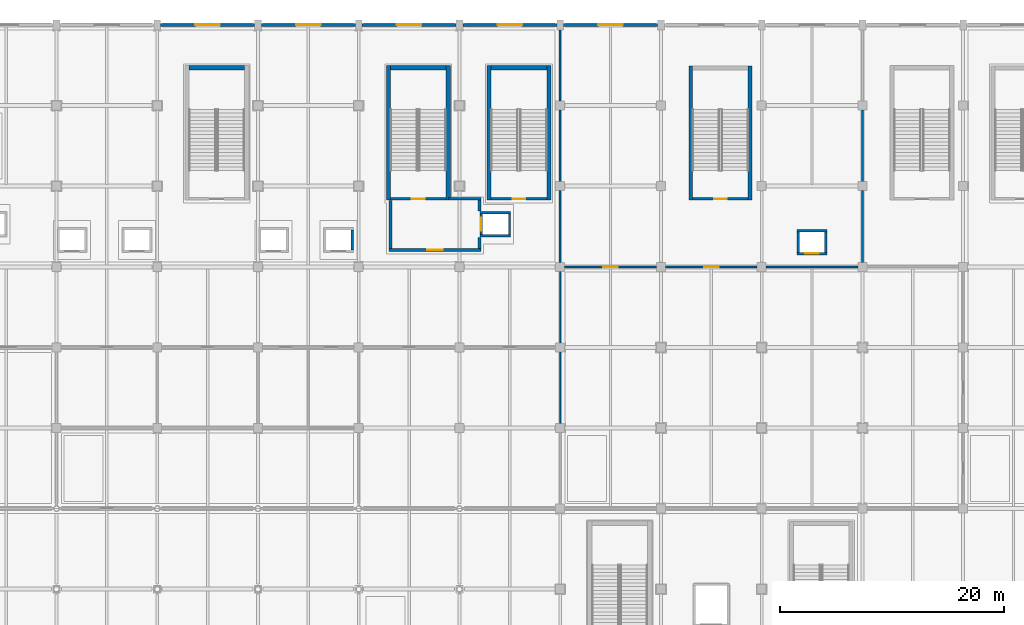
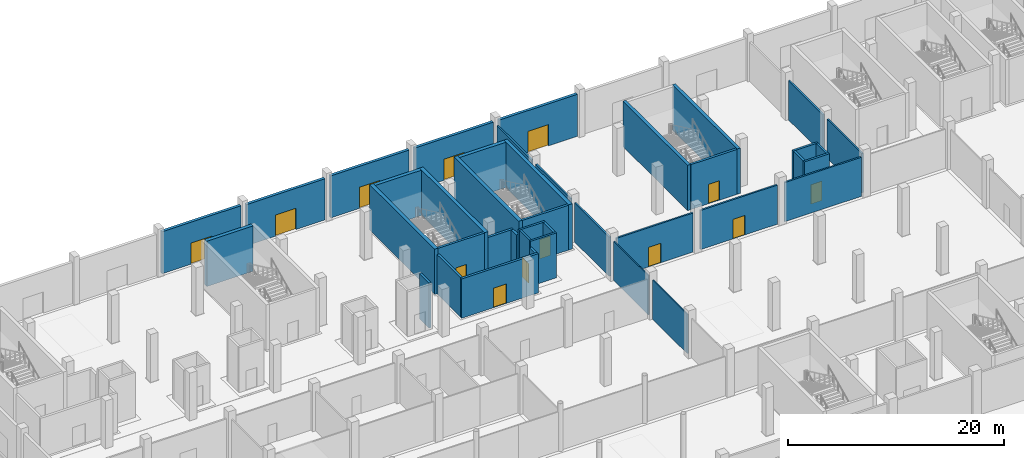
# One storey, part 97 of 137: 41 walls, 13 doors, 13 openings.
"""IFC4 building model written with IfcOpenShell, lengths in metres."""

from ifc_helpers import new_model, si_unit, direction, frame, frame_2d, origin, place, context, subcontext, project, spatial, rectangle, extrude, material, layer, layer_set, type_object, element, fill, save


model = new_model("IFC4")

# Units and contexts
model_context = context("Model", 3, precision=1e-05, world=origin(), true_north=direction((0.0, 1.0)))
body_context = subcontext(model_context, "Body", "Model", "MODEL_VIEW")
ifc_project = project(units=[si_unit("LENGTHUNIT", "METRE"), si_unit("AREAUNIT", "SQUARE_METRE"), si_unit("VOLUMEUNIT", "CUBIC_METRE"), si_unit("PLANEANGLEUNIT", "RADIAN"), si_unit("MASSUNIT", "GRAM", prefix="KILO")], contexts=[model_context])

# Site, building, storey
site_placement = place(None, origin())
site = spatial("IfcSite", under=ifc_project, at=site_placement, CompositionType="ELEMENT")
building_placement = place(site_placement, origin())
building = spatial("IfcBuilding", under=site, at=building_placement, Name="Celestram Park Convention Centre", CompositionType="ELEMENT")
storey_placement = place(building_placement, origin())
storey = spatial("IfcBuildingStorey", under=building, at=storey_placement, Name="L00", CompositionType="ELEMENT", Elevation=0.0)

# Wall, opening, door
ifc_material_1 = material(Name="Concrete Block Masonry C25/30", Category="masonry")
ifc_layer_1 = layer(ifc_material_1, 0.25)
ifc_layer_set_1 = layer_set([ifc_layer_1], Name="Concrete Block Masonry C25/30")
wall_type_1 = type_object("IfcWallType", Name="ARC-WL-COR250", PredefinedType="STANDARD", material=ifc_layer_set_1)
wall_1_placement = place(storey_placement, frame((88.800048828125, 150.074951171875, 0.0), z_axis=(0.0, 0.0, 1.0), x_axis=(-1.0, 0.0, 0.0)))
wall_1 = element("IfcWall", 1, at=wall_1_placement, inside=storey, type_object=wall_type_1, Name="Core C2 stair entrance wall", PredefinedType="STANDARD", context=body_context, shape_type="SweptSolid", body=[
    extrude(rectangle(XDim=4.9599609375, YDim=0.25, at=frame_2d((2.47998046875, 0.0))), origin(), (0.0, 0.0, 1.0), 5.080078125),
])
opening_1_placement = place(wall_1_placement, frame((1.905029296875, 0.0, 0.0)))
opening_1 = element("IfcOpeningElement", 2, at=opening_1_placement, cuts=wall_1, Name="Opening D-ST1", PredefinedType="OPENING", context=body_context, shape_type="SweptSolid", body=[
    extrude(rectangle(XDim=1.14990234375, YDim=2.199951171875, at=frame_2d((0.574951171875, 1.10009765625))), frame((0.0, 0.135009765625, 0.0), z_axis=(0.0, -1.0, 0.0), x_axis=(1.0, 0.0, 0.0)), (0.0, 0.0, 1.0), 0.27001953125),
])
ifc_material_2 = material(Name="Fire-Rated Hollow Metal Steel ASTM A653", Category="steel")
door_type_1 = type_object("IfcDoorType", Name="ARC-DR-ST115", OperationType="NOTDEFINED", PredefinedType="DOOR", material=ifc_material_2)
door_1_placement = place(opening_1_placement, origin())
door_1 = element("IfcDoor", 3, at=door_1_placement, inside=storey, type_object=door_type_1, Name="Exit stair ST-02 fire door", OperationType="SINGLE_SWING_LEFT", OverallHeight=2.199951171875, OverallWidth=1.14990234375, PredefinedType="DOOR", context=body_context, shape_type="SweptSolid", body=[
    extrude(rectangle(XDim=1.14990234375, YDim=2.199951171875, at=frame_2d((0.574951171875, 1.10009765625))), frame((0.0, 0.02490234375, 0.0), z_axis=(0.0, -1.0, 0.0), x_axis=(1.0, 0.0, 0.0)), (0.0, 0.0, 1.0), 0.050048828125),
])
fill(opening_1, door_1)

wall_2_placement = place(storey_placement, frame((115.800048828125, 150.074951171875, 0.0), z_axis=(0.0, 0.0, 1.0), x_axis=(-1.0, 0.0, 0.0)))
wall_2 = element("IfcWall", 4, at=wall_2_placement, inside=storey, type_object=wall_type_1, Name="Core S16 stair entrance wall", PredefinedType="STANDARD", context=body_context, shape_type="SweptSolid", body=[
    extrude(rectangle(XDim=4.9599609375, YDim=0.25, at=frame_2d((2.47998046875, 0.0))), origin(), (0.0, 0.0, 1.0), 5.080078125),
])
opening_2_placement = place(wall_2_placement, frame((1.905029296875, 0.0, 0.0)))
opening_2 = element("IfcOpeningElement", 5, at=opening_2_placement, cuts=wall_2, Name="Opening D-ST1", PredefinedType="OPENING", context=body_context, shape_type="SweptSolid", body=[
    extrude(rectangle(XDim=1.14990234375, YDim=2.199951171875, at=frame_2d((0.574951171875, 1.10009765625))), frame((0.0, 0.135009765625, 0.0), z_axis=(0.0, -1.0, 0.0), x_axis=(1.0, 0.0, 0.0)), (0.0, 0.0, 1.0), 0.27001953125),
])
door_2_placement = place(opening_2_placement, origin())
door_2 = element("IfcDoor", 6, at=door_2_placement, inside=storey, type_object=door_type_1, Name="Exit stair ST-16 fire door", OperationType="SINGLE_SWING_LEFT", OverallHeight=2.199951171875, OverallWidth=1.14990234375, PredefinedType="DOOR", context=body_context, shape_type="SweptSolid", body=[
    extrude(rectangle(XDim=1.14990234375, YDim=2.199951171875, at=frame_2d((0.574951171875, 1.10009765625))), frame((0.0, 0.02490234375, 0.0), z_axis=(0.0, -1.0, 0.0), x_axis=(1.0, 0.0, 0.0)), (0.0, 0.0, 1.0), 0.050048828125),
])
fill(opening_2, door_2)

wall_3_placement = place(storey_placement, frame((97.800048828125, 150.074951171875, 0.0), z_axis=(0.0, 0.0, 1.0), x_axis=(-1.0, 0.0, 0.0)))
wall_3 = element("IfcWall", 7, at=wall_3_placement, inside=storey, type_object=wall_type_1, Name="Core S19 stair entrance wall", PredefinedType="STANDARD", context=body_context, shape_type="SweptSolid", body=[
    extrude(rectangle(XDim=4.9599609375, YDim=0.25, at=frame_2d((2.47998046875, 0.0))), origin(), (0.0, 0.0, 1.0), 5.080078125),
])
opening_3_placement = place(wall_3_placement, frame((1.905029296875, 0.0, 0.0)))
opening_3 = element("IfcOpeningElement", 8, at=opening_3_placement, cuts=wall_3, Name="Opening D-ST1", PredefinedType="OPENING", context=body_context, shape_type="SweptSolid", body=[
    extrude(rectangle(XDim=1.14990234375, YDim=2.199951171875, at=frame_2d((0.574951171875, 1.10009765625))), frame((0.0, 0.135009765625, 0.0), z_axis=(0.0, -1.0, 0.0), x_axis=(1.0, 0.0, 0.0)), (0.0, 0.0, 1.0), 0.27001953125),
])
door_3_placement = place(opening_3_placement, origin())
door_3 = element("IfcDoor", 9, at=door_3_placement, inside=storey, type_object=door_type_1, Name="Exit stair ST-19 fire door", OperationType="SINGLE_SWING_RIGHT", OverallHeight=2.199951171875, OverallWidth=1.14990234375, PredefinedType="DOOR", context=body_context, shape_type="SweptSolid", body=[
    extrude(rectangle(XDim=1.14990234375, YDim=2.199951171875, at=frame_2d((0.574951171875, 1.10009765625))), frame((0.0, 0.02490234375, 0.0), z_axis=(0.0, -1.0, 0.0), x_axis=(1.0, 0.0, 0.0)), (0.0, 0.0, 1.0), 0.050048828125),
])
fill(opening_3, door_3)

# Wall
wall_4_placement = place(storey_placement, frame((83.840087890625, 149.93994140625, 0.0), z_axis=(0.0, 0.0, 1.0), x_axis=(0.0, -1.0, 0.0)))
element("IfcWall", 10, at=wall_4_placement, inside=storey, type_object=wall_type_1, Name="Firefighting Lift Lobby C2 W wall", PredefinedType="STANDARD", context=body_context, shape_type="SweptSolid", body=[
    extrude(rectangle(XDim=4.31494140625, YDim=0.25, at=frame_2d((2.157470703125, 0.0))), origin(), (0.0, 0.0, 1.0), 4.43701171875),
])

# Wall, opening, door
wall_5_placement = place(storey_placement, frame((83.715087890625, 145.5, 0.0), z_axis=(0.0, 0.0, 1.0), x_axis=(1.0, 0.0, 0.0)))
wall_5 = element("IfcWall", 11, at=wall_5_placement, inside=storey, type_object=wall_type_1, Name="Firefighting Lift Lobby C2 S wall", PredefinedType="STANDARD", context=body_context, shape_type="SweptSolid", body=[
    extrude(rectangle(XDim=8.18994140625, YDim=0.25, at=frame_2d((4.094970703125, 0.0))), origin(), (0.0, 0.0, 1.0), 4.43701171875),
])
opening_4_placement = place(wall_5_placement, frame((3.39501953125, 0.0, 0.0)))
opening_4 = element("IfcOpeningElement", 12, at=opening_4_placement, cuts=wall_5, Name="Opening D-LB1", PredefinedType="OPENING", context=body_context, shape_type="SweptSolid", body=[
    extrude(rectangle(XDim=1.39990234375, YDim=2.199951171875, at=frame_2d((0.699951171875, 1.10009765625))), frame((0.0, 0.135009765625, 0.0), z_axis=(0.0, -1.0, 0.0), x_axis=(1.0, 0.0, 0.0)), (0.0, 0.0, 1.0), 0.27001953125),
])
ifc_material_3 = material(Name="Fire-Rated Glazed Steel Frame", Category="steel")
door_type_2 = type_object("IfcDoorType", Name="ARC-DR-LB140", OperationType="NOTDEFINED", PredefinedType="DOOR", material=ifc_material_3)
door_4_placement = place(opening_4_placement, origin())
door_4 = element("IfcDoor", 13, at=door_4_placement, inside=storey, type_object=door_type_2, Name="Firefighting Lift Lobby C2 fire door", OperationType="SINGLE_SWING_LEFT", OverallHeight=2.199951171875, OverallWidth=1.39990234375, PredefinedType="DOOR", context=body_context, shape_type="SweptSolid", body=[
    extrude(rectangle(XDim=1.39990234375, YDim=2.199951171875, at=frame_2d((0.699951171875, 1.10009765625))), frame((0.0, 0.02490234375, 0.0), z_axis=(0.0, -1.0, 0.0), x_axis=(1.0, 0.0, 0.0)), (0.0, 0.0, 1.0), 0.050048828125),
])
fill(opening_4, door_4)

# Walls
wall_6_placement = place(storey_placement, frame((91.780029296875, 145.625, 0.0), z_axis=(0.0, 0.0, 1.0), x_axis=(0.0, 1.0, 0.0)))
element("IfcWall", 14, at=wall_6_placement, inside=storey, type_object=wall_type_1, Name="Firefighting Lift Lobby C2 ES wall", PredefinedType="STANDARD", context=body_context, shape_type="SweptSolid", body=[
    extrude(rectangle(XDim=0.97509765625, YDim=0.25, at=frame_2d((0.487548828125, 0.0))), origin(), (0.0, 0.0, 1.0), 4.43701171875),
])
wall_7_placement = place(storey_placement, frame((91.780029296875, 149.0, 0.0), z_axis=(0.0, 0.0, 1.0), x_axis=(0.0, 1.0, 0.0)))
element("IfcWall", 15, at=wall_7_placement, inside=storey, type_object=wall_type_1, Name="Firefighting Lift Lobby C2 EN wall", PredefinedType="STANDARD", context=body_context, shape_type="SweptSolid", body=[
    extrude(rectangle(XDim=0.949951171875, YDim=0.25, at=frame_2d((0.47509765625, 0.0))), origin(), (0.0, 0.0, 1.0), 4.43701171875),
])
wall_8_placement = place(storey_placement, frame((89.0, 150.074951171875, 0.0), z_axis=(0.0, 0.0, 1.0), x_axis=(1.0, 0.0, 0.0)))
element("IfcWall", 16, at=wall_8_placement, inside=storey, type_object=wall_type_1, Name="Firefighting Lift Lobby C2 N wall", PredefinedType="STANDARD", context=body_context, shape_type="SweptSolid", body=[
    extrude(rectangle(XDim=2.905029296875, YDim=0.25, at=frame_2d((1.45263671875, 0.0))), origin(), (0.0, 0.0, 1.0), 4.43701171875),
])

# Wall, opening, door
ifc_material_4 = material(Name="Precast Concrete C40/50", Category="concrete")
ifc_layer_2 = layer(ifc_material_4, 0.300048828125)
ifc_layer_set_2 = layer_set([ifc_layer_2], Name="Precast Concrete C40/50")
wall_type_2 = type_object("IfcWallType", Name="ARC-WL-EXT300", PredefinedType="STANDARD", material=ifc_layer_set_2)
wall_9_placement = place(storey_placement, frame((63.298095703125, 165.60009765625, 0.0), z_axis=(0.0, 0.0, 1.0), x_axis=(1.0, 0.0, 0.0)))
wall_9 = element("IfcWall", 17, at=wall_9_placement, inside=storey, type_object=wall_type_2, Name="Bush-hammered precast exterior wall WL-L00-EW028", PredefinedType="STANDARD", context=body_context, shape_type="SweptSolid", body=[
    extrude(rectangle(XDim=8.40380859375, YDim=0.300048828125, at=frame_2d((4.201904296875, 0.0))), origin(), (0.0, 0.0, 1.0), 4.7470703125),
])
opening_5_placement = place(wall_9_placement, frame((3.10205078125, 0.0, 0.0)))
opening_5 = element("IfcOpeningElement", 18, at=opening_5_placement, cuts=wall_9, Name="Opening D-EX1", PredefinedType="OPENING", context=body_context, shape_type="SweptSolid", body=[
    extrude(rectangle(XDim=2.199951171875, YDim=2.39990234375, at=frame_2d((1.10009765625, 1.199951171875))), frame((0.0, 0.159912109375, 0.0), z_axis=(0.0, -1.0, 0.0), x_axis=(1.0, 0.0, 0.0)), (0.0, 0.0, 1.0), 0.320068359375),
])
ifc_material_5 = material(Name="Anodised Aluminium & Tempered Glass", Category="aluminium")
door_type_3 = type_object("IfcDoorType", Name="ARC-DR-EX2200", OperationType="NOTDEFINED", PredefinedType="DOOR", material=ifc_material_5)
door_5_placement = place(opening_5_placement, origin())
door_5 = element("IfcDoor", 19, at=door_5_placement, inside=storey, type_object=door_type_3, Name="Ground egress exit door DR-L00-EX27", OperationType="DOUBLE_DOOR_SINGLE_SWING", OverallHeight=2.39990234375, OverallWidth=2.199951171875, PredefinedType="DOOR", context=body_context, shape_type="SweptSolid", body=[
    extrude(rectangle(XDim=2.199951171875, YDim=2.39990234375, at=frame_2d((1.10009765625, 1.199951171875))), frame((0.0, 0.02490234375, 0.0), z_axis=(0.0, -1.0, 0.0), x_axis=(1.0, 0.0, 0.0)), (0.0, 0.0, 1.0), 0.050048828125),
])
fill(opening_5, door_5)

wall_10_placement = place(storey_placement, frame((72.298095703125, 165.60009765625, 0.0), z_axis=(0.0, 0.0, 1.0), x_axis=(1.0, 0.0, 0.0)))
wall_10 = element("IfcWall", 20, at=wall_10_placement, inside=storey, type_object=wall_type_2, Name="Bush-hammered precast exterior wall WL-L00-EW029", PredefinedType="STANDARD", context=body_context, shape_type="SweptSolid", body=[
    extrude(rectangle(XDim=8.40380859375, YDim=0.300048828125, at=frame_2d((4.201904296875, 0.0))), origin(), (0.0, 0.0, 1.0), 4.653076171875),
])
opening_6_placement = place(wall_10_placement, frame((3.10205078125, 0.0, 0.0)))
opening_6 = element("IfcOpeningElement", 21, at=opening_6_placement, cuts=wall_10, Name="Opening D-EX1", PredefinedType="OPENING", context=body_context, shape_type="SweptSolid", body=[
    extrude(rectangle(XDim=2.199951171875, YDim=2.39990234375, at=frame_2d((1.10009765625, 1.199951171875))), frame((0.0, 0.159912109375, 0.0), z_axis=(0.0, -1.0, 0.0), x_axis=(1.0, 0.0, 0.0)), (0.0, 0.0, 1.0), 0.320068359375),
])
door_6_placement = place(opening_6_placement, origin())
door_6 = element("IfcDoor", 22, at=door_6_placement, inside=storey, type_object=door_type_3, Name="Ground egress exit door DR-L00-EX28", OperationType="DOUBLE_DOOR_SINGLE_SWING", OverallHeight=2.39990234375, OverallWidth=2.199951171875, PredefinedType="DOOR", context=body_context, shape_type="SweptSolid", body=[
    extrude(rectangle(XDim=2.199951171875, YDim=2.39990234375, at=frame_2d((1.10009765625, 1.199951171875))), frame((0.0, 0.02490234375, 0.0), z_axis=(0.0, -1.0, 0.0), x_axis=(1.0, 0.0, 0.0)), (0.0, 0.0, 1.0), 0.050048828125),
])
fill(opening_6, door_6)

wall_11_placement = place(storey_placement, frame((81.298095703125, 165.60009765625, 0.0), z_axis=(0.0, 0.0, 1.0), x_axis=(1.0, 0.0, 0.0)))
wall_11 = element("IfcWall", 23, at=wall_11_placement, inside=storey, type_object=wall_type_2, Name="Bush-hammered precast exterior wall WL-L00-EW030", PredefinedType="STANDARD", context=body_context, shape_type="SweptSolid", body=[
    extrude(rectangle(XDim=8.40380859375, YDim=0.300048828125, at=frame_2d((4.201904296875, 0.0))), origin(), (0.0, 0.0, 1.0), 4.7470703125),
])
opening_7_placement = place(wall_11_placement, frame((3.10205078125, 0.0, 0.0)))
opening_7 = element("IfcOpeningElement", 24, at=opening_7_placement, cuts=wall_11, Name="Opening D-EX1", PredefinedType="OPENING", context=body_context, shape_type="SweptSolid", body=[
    extrude(rectangle(XDim=2.199951171875, YDim=2.39990234375, at=frame_2d((1.10009765625, 1.199951171875))), frame((0.0, 0.159912109375, 0.0), z_axis=(0.0, -1.0, 0.0), x_axis=(1.0, 0.0, 0.0)), (0.0, 0.0, 1.0), 0.320068359375),
])
door_7_placement = place(opening_7_placement, origin())
door_7 = element("IfcDoor", 25, at=door_7_placement, inside=storey, type_object=door_type_3, Name="Ground egress exit door DR-L00-EX29", OperationType="DOUBLE_DOOR_SINGLE_SWING", OverallHeight=2.39990234375, OverallWidth=2.199951171875, PredefinedType="DOOR", context=body_context, shape_type="SweptSolid", body=[
    extrude(rectangle(XDim=2.199951171875, YDim=2.39990234375, at=frame_2d((1.10009765625, 1.199951171875))), frame((0.0, 0.02490234375, 0.0), z_axis=(0.0, -1.0, 0.0), x_axis=(1.0, 0.0, 0.0)), (0.0, 0.0, 1.0), 0.050048828125),
])
fill(opening_7, door_7)

wall_12_placement = place(storey_placement, frame((90.298095703125, 165.60009765625, 0.0), z_axis=(0.0, 0.0, 1.0), x_axis=(1.0, 0.0, 0.0)))
wall_12 = element("IfcWall", 26, at=wall_12_placement, inside=storey, type_object=wall_type_2, Name="Bush-hammered precast exterior wall WL-L00-EW031", PredefinedType="STANDARD", context=body_context, shape_type="SweptSolid", body=[
    extrude(rectangle(XDim=8.40380859375, YDim=0.300048828125, at=frame_2d((4.201904296875, 0.0))), origin(), (0.0, 0.0, 1.0), 4.7470703125),
])
opening_8_placement = place(wall_12_placement, frame((3.10205078125, 0.0, 0.0)))
opening_8 = element("IfcOpeningElement", 27, at=opening_8_placement, cuts=wall_12, Name="Opening D-EX1", PredefinedType="OPENING", context=body_context, shape_type="SweptSolid", body=[
    extrude(rectangle(XDim=2.199951171875, YDim=2.39990234375, at=frame_2d((1.10009765625, 1.199951171875))), frame((0.0, 0.159912109375, 0.0), z_axis=(0.0, -1.0, 0.0), x_axis=(1.0, 0.0, 0.0)), (0.0, 0.0, 1.0), 0.320068359375),
])
door_8_placement = place(opening_8_placement, origin())
door_8 = element("IfcDoor", 28, at=door_8_placement, inside=storey, type_object=door_type_3, Name="Ground egress exit door DR-L00-EX30", OperationType="DOUBLE_DOOR_SINGLE_SWING", OverallHeight=2.39990234375, OverallWidth=2.199951171875, PredefinedType="DOOR", context=body_context, shape_type="SweptSolid", body=[
    extrude(rectangle(XDim=2.199951171875, YDim=2.39990234375, at=frame_2d((1.10009765625, 1.199951171875))), frame((0.0, 0.02490234375, 0.0), z_axis=(0.0, -1.0, 0.0), x_axis=(1.0, 0.0, 0.0)), (0.0, 0.0, 1.0), 0.050048828125),
])
fill(opening_8, door_8)

wall_13_placement = place(storey_placement, frame((99.298095703125, 165.60009765625, 0.0), z_axis=(0.0, 0.0, 1.0), x_axis=(1.0, 0.0, 0.0)))
wall_13 = element("IfcWall", 29, at=wall_13_placement, inside=storey, type_object=wall_type_2, Name="Bush-hammered precast exterior wall WL-L00-EW032", PredefinedType="STANDARD", context=body_context, shape_type="SweptSolid", body=[
    extrude(rectangle(XDim=8.40380859375, YDim=0.300048828125, at=frame_2d((4.201904296875, 0.0))), origin(), (0.0, 0.0, 1.0), 4.7470703125),
])
opening_9_placement = place(wall_13_placement, frame((3.10205078125, 0.0, 0.0)))
opening_9 = element("IfcOpeningElement", 30, at=opening_9_placement, cuts=wall_13, Name="Opening D-EX1", PredefinedType="OPENING", context=body_context, shape_type="SweptSolid", body=[
    extrude(rectangle(XDim=2.199951171875, YDim=2.39990234375, at=frame_2d((1.10009765625, 1.199951171875))), frame((0.0, 0.159912109375, 0.0), z_axis=(0.0, -1.0, 0.0), x_axis=(1.0, 0.0, 0.0)), (0.0, 0.0, 1.0), 0.320068359375),
])
door_9_placement = place(opening_9_placement, origin())
door_9 = element("IfcDoor", 31, at=door_9_placement, inside=storey, type_object=door_type_3, Name="Ground egress exit door DR-L00-EX31", OperationType="DOUBLE_DOOR_SINGLE_SWING", OverallHeight=2.39990234375, OverallWidth=2.199951171875, PredefinedType="DOOR", context=body_context, shape_type="SweptSolid", body=[
    extrude(rectangle(XDim=2.199951171875, YDim=2.39990234375, at=frame_2d((1.10009765625, 1.199951171875))), frame((0.0, 0.02490234375, 0.0), z_axis=(0.0, -1.0, 0.0), x_axis=(1.0, 0.0, 0.0)), (0.0, 0.0, 1.0), 0.050048828125),
])
fill(opening_9, door_9)

# Walls
ifc_material_6 = material(Name="Standard Gypsum & Steel Stud 120 mm", Category="steel")
ifc_layer_3 = layer(ifc_material_6, 0.1201171875)
ifc_layer_set_3 = layer_set([ifc_layer_3], Name="Standard Gypsum & Steel Stud 120 mm")
wall_type_3 = type_object("IfcWallType", Name="ARC-WL-PRT120", PredefinedType="PARTITIONING", material=ifc_layer_set_3)
for number, where, z_axis, x_axis, name in (
    (32, (99.0, 129.998046875, 0.0), (0.0, 0.0, 1.0), (0.0, 1.0, 0.0), "Interior partition WL-L00-IN0649"),
    (33, (99.0, 137.197998046875, 0.0), (0.0, 0.0, 1.0), (0.0, 1.0, 0.0), "Interior partition WL-L00-IN0650"),
):
    element("IfcWall", number, at=place(storey_placement, frame(where, z_axis=z_axis, x_axis=x_axis)), inside=storey, type_object=wall_type_3, Name=name, PredefinedType="PARTITIONING", context=body_context, shape_type="SweptSolid", body=[
        extrude(rectangle(XDim=6.404052734375, YDim=0.1201171875, at=frame_2d((3.2021484375, 0.0))), origin(), (0.0, 0.0, 1.0), 4.43701171875),
    ])

# Wall, opening, door
ifc_material_7 = material(Name="Fire-Rated Gypsum & Steel Stud 180 mm", Category="steel")
ifc_layer_4 = layer(ifc_material_7, 0.179931640625)
ifc_layer_set_4 = layer_set([ifc_layer_4], Name="Fire-Rated Gypsum & Steel Stud 180 mm")
wall_type_4 = type_object("IfcWallType", Name="ARC-WL-PRT180", PredefinedType="PARTITIONING", material=ifc_layer_set_4)
wall_14_placement = place(storey_placement, frame((99.39794921875, 144.0, 0.0), z_axis=(0.0, 0.0, 1.0), x_axis=(1.0, 0.0, 0.0)))
wall_14 = element("IfcWall", 34, at=wall_14_placement, inside=storey, type_object=wall_type_4, Name="Interior partition WL-L00-IN0595", PredefinedType="PARTITIONING", context=body_context, shape_type="SweptSolid", body=[
    extrude(rectangle(XDim=8.2041015625, YDim=0.179931640625, at=frame_2d((4.10205078125, 0.0))), origin(), (0.0, 0.0, 1.0), 4.424072265625),
])
opening_10_placement = place(wall_14_placement, frame((3.451904296875, 0.0, 0.0)))
opening_10 = element("IfcOpeningElement", 35, at=opening_10_placement, cuts=wall_14, Name="Opening D-10", PredefinedType="OPENING", context=body_context, shape_type="SweptSolid", body=[
    extrude(rectangle(XDim=1.300048828125, YDim=2.199951171875, at=frame_2d((0.64990234375, 1.10009765625))), frame((0.0, 0.099853515625, 0.0), z_axis=(0.0, -1.0, 0.0), x_axis=(1.0, 0.0, 0.0)), (0.0, 0.0, 1.0), 0.199951171875),
])
ifc_material_8 = material(Name="Hollow Metal Catering Service Door", Category="steel")
door_type_4 = type_object("IfcDoorType", Name="ARC-DR-SRV130", OperationType="NOTDEFINED", PredefinedType="DOOR", material=ifc_material_8)
door_10_placement = place(opening_10_placement, origin())
door_10 = element("IfcDoor", 36, at=door_10_placement, inside=storey, type_object=door_type_4, Name="Ground Restaurant Kitchen entrance door", OperationType="SINGLE_SWING_RIGHT", OverallHeight=2.199951171875, OverallWidth=1.300048828125, PredefinedType="DOOR", context=body_context, shape_type="SweptSolid", body=[
    extrude(rectangle(XDim=1.300048828125, YDim=2.199951171875, at=frame_2d((0.64990234375, 1.10009765625))), frame((0.0, 0.02490234375, 0.0), z_axis=(0.0, -1.0, 0.0), x_axis=(1.0, 0.0, 0.0)), (0.0, 0.0, 1.0), 0.050048828125),
])
fill(opening_10, door_10)

wall_15_placement = place(storey_placement, frame((108.39794921875, 144.0, 0.0), z_axis=(0.0, 0.0, 1.0), x_axis=(1.0, 0.0, 0.0)))
wall_15 = element("IfcWall", 37, at=wall_15_placement, inside=storey, type_object=wall_type_4, Name="Interior partition WL-L00-IN0596", PredefinedType="PARTITIONING", context=body_context, shape_type="SweptSolid", body=[
    extrude(rectangle(XDim=8.2041015625, YDim=0.179931640625, at=frame_2d((4.10205078125, 0.0))), origin(), (0.0, 0.0, 1.0), 4.424072265625),
])
opening_11_placement = place(wall_15_placement, frame((3.451904296875, 0.0, 0.0)))
opening_11 = element("IfcOpeningElement", 38, at=opening_11_placement, cuts=wall_15, Name="Opening D-10", PredefinedType="OPENING", context=body_context, shape_type="SweptSolid", body=[
    extrude(rectangle(XDim=1.300048828125, YDim=2.199951171875, at=frame_2d((0.64990234375, 1.10009765625))), frame((0.0, 0.099853515625, 0.0), z_axis=(0.0, -1.0, 0.0), x_axis=(1.0, 0.0, 0.0)), (0.0, 0.0, 1.0), 0.199951171875),
])
door_11_placement = place(opening_11_placement, origin())
door_11 = element("IfcDoor", 39, at=door_11_placement, inside=storey, type_object=door_type_4, Name="Ground Restaurant Kitchen entrance door", OperationType="SINGLE_SWING_LEFT", OverallHeight=2.199951171875, OverallWidth=1.300048828125, PredefinedType="DOOR", context=body_context, shape_type="SweptSolid", body=[
    extrude(rectangle(XDim=1.300048828125, YDim=2.199951171875, at=frame_2d((0.64990234375, 1.10009765625))), frame((0.0, 0.02490234375, 0.0), z_axis=(0.0, -1.0, 0.0), x_axis=(1.0, 0.0, 0.0)), (0.0, 0.0, 1.0), 0.050048828125),
])
fill(opening_11, door_11)

# Walls
wall_16_placement = place(storey_placement, frame((117.39794921875, 144.0, 0.0), z_axis=(0.0, 0.0, 1.0), x_axis=(1.0, 0.0, 0.0)))
element("IfcWall", 40, at=wall_16_placement, inside=storey, type_object=wall_type_4, Name="Interior partition WL-L00-IN0597", PredefinedType="PARTITIONING", context=body_context, shape_type="SweptSolid", body=[
    extrude(rectangle(XDim=8.2041015625, YDim=0.179931640625, at=frame_2d((4.10205078125, 0.0))), origin(), (0.0, 0.0, 1.0), 4.424072265625),
])
for number, where, z_axis, x_axis, name in (
    (41, (99.0, 144.39794921875, 0.0), (0.0, 0.0, 1.0), (0.0, 1.0, 0.0), "Interior partition WL-L00-IN0651"),
    (42, (99.0, 151.597900390625, 0.0), (0.0, 0.0, 1.0), (0.0, 1.0, 0.0), "Interior partition WL-L00-IN0652"),
):
    element("IfcWall", number, at=place(storey_placement, frame(where, z_axis=z_axis, x_axis=x_axis)), inside=storey, type_object=wall_type_4, Name=name, PredefinedType="PARTITIONING", context=body_context, shape_type="SweptSolid", body=[
        extrude(rectangle(XDim=6.404052734375, YDim=0.179931640625, at=frame_2d((3.2021484375, 0.0))), origin(), (0.0, 0.0, 1.0), 4.43701171875),
    ])
wall_17_placement = place(storey_placement, frame((99.0, 158.798095703125, 0.0), z_axis=(0.0, 0.0, 1.0), x_axis=(0.0, 1.0, 0.0)))
element("IfcWall", 43, at=wall_17_placement, inside=storey, type_object=wall_type_4, Name="Interior partition WL-L00-IN0653", PredefinedType="PARTITIONING", context=body_context, shape_type="SweptSolid", body=[
    extrude(rectangle(XDim=6.35400390625, YDim=0.179931640625, at=frame_2d((3.177001953125, 0.0))), origin(), (0.0, 0.0, 1.0), 4.43701171875),
])
for number, where, z_axis, x_axis, name in (
    (44, (126.0, 144.39794921875, 0.0), (0.0, 0.0, 1.0), (0.0, 1.0, 0.0), "Interior partition WL-L00-IN0666"),
    (45, (126.0, 151.597900390625, 0.0), (0.0, 0.0, 1.0), (0.0, 1.0, 0.0), "Interior partition WL-L00-IN0667"),
):
    element("IfcWall", number, at=place(storey_placement, frame(where, z_axis=z_axis, x_axis=x_axis)), inside=storey, type_object=wall_type_4, Name=name, PredefinedType="PARTITIONING", context=body_context, shape_type="SweptSolid", body=[
        extrude(rectangle(XDim=6.404052734375, YDim=0.179931640625, at=frame_2d((3.2021484375, 0.0))), origin(), (0.0, 0.0, 1.0), 4.43701171875),
    ])
ifc_layer_5 = layer(ifc_material_1, 0.219970703125)
ifc_layer_set_5 = layer_set([ifc_layer_5], Name="Concrete Block Masonry C25/30")
wall_type_5 = type_object("IfcWallType", Name="ARC-WL-SHF220", PredefinedType="STANDARD", material=ifc_layer_set_5)
for number, where, z_axis, x_axis, name in (
    (46, (91.820068359375, 146.7548828125, 0.0), (0.0, 0.0, 1.0), (1.0, 0.0, 0.0), "Lift LF-02 shaft wall S"),
    (47, (94.580078125, 148.844970703125, 0.0), (0.0, 0.0, 1.0), (-1.0, 0.0, 0.0), "Lift LF-02 shaft wall N"),
):
    element("IfcWall", number, at=place(storey_placement, frame(where, z_axis=z_axis, x_axis=x_axis)), inside=storey, type_object=wall_type_5, Name=name, PredefinedType="STANDARD", context=body_context, shape_type="SweptSolid", body=[
        extrude(rectangle(XDim=2.760009765625, YDim=0.219970703125, at=frame_2d((1.3798828125, 0.0))), origin(), (0.0, 0.0, 1.0), 5.080078125),
    ])

# Wall, opening, door
wall_18_placement = place(storey_placement, frame((91.929931640625, 148.735107421875, 0.0), z_axis=(0.0, 0.0, 1.0), x_axis=(0.0, -1.0, 0.0)))
wall_18 = element("IfcWall", 48, at=wall_18_placement, inside=storey, type_object=wall_type_5, Name="Lift LF-02 shaft wall W", PredefinedType="STANDARD", context=body_context, shape_type="SweptSolid", body=[
    extrude(rectangle(XDim=1.8701171875, YDim=0.219970703125, at=frame_2d((0.93505859375, 0.0))), origin(), (0.0, 0.0, 1.0), 5.080078125),
])
opening_12_placement = place(wall_18_placement, frame((0.3349609375, 0.0, 0.0)))
opening_12 = element("IfcOpeningElement", 49, at=opening_12_placement, cuts=wall_18, Name="Opening LD-01", PredefinedType="OPENING", context=body_context, shape_type="SweptSolid", body=[
    extrude(rectangle(XDim=1.199951171875, YDim=2.199951171875, at=frame_2d((0.60009765625, 1.10009765625))), frame((0.0, 0.119873046875, 0.0), z_axis=(0.0, -1.0, 0.0), x_axis=(1.0, 0.0, 0.0)), (0.0, 0.0, 1.0), 0.239990234375),
])
ifc_material_9 = material(Name="Brushed Stainless Steel AISI 304", Category="steel")
door_type_5 = type_object("IfcDoorType", Name="ARC-DR-LFT120", OperationType="NOTDEFINED", PredefinedType="DOOR", material=ifc_material_9)
door_12_placement = place(opening_12_placement, origin())
door_12 = element("IfcDoor", 50, at=door_12_placement, inside=storey, type_object=door_type_5, Name="Lift LF-02 sliding landing door", OperationType="DOUBLE_DOOR_SLIDING", OverallHeight=2.199951171875, OverallWidth=1.199951171875, PredefinedType="DOOR", context=body_context, shape_type="SweptSolid", body=[
    extrude(rectangle(XDim=1.199951171875, YDim=2.199951171875, at=frame_2d((0.60009765625, 1.10009765625))), frame((0.0, 0.02490234375, 0.0), z_axis=(0.0, -1.0, 0.0), x_axis=(1.0, 0.0, 0.0)), (0.0, 0.0, 1.0), 0.050048828125),
])
fill(opening_12, door_12)

# Walls
wall_19_placement = place(storey_placement, frame((94.469970703125, 146.864990234375, 0.0), z_axis=(0.0, 0.0, 1.0), x_axis=(0.0, 1.0, 0.0)))
element("IfcWall", 51, at=wall_19_placement, inside=storey, type_object=wall_type_5, Name="Lift LF-02 shaft wall E", PredefinedType="STANDARD", context=body_context, shape_type="SweptSolid", body=[
    extrude(rectangle(XDim=1.8701171875, YDim=0.219970703125, at=frame_2d((0.93505859375, 0.0))), origin(), (0.0, 0.0, 1.0), 5.080078125),
])
wall_20_placement = place(storey_placement, frame((80.419921875, 145.489990234375, 0.0), z_axis=(0.0, 0.0, 1.0), x_axis=(0.0, 1.0, 0.0)))
element("IfcWall", 52, at=wall_20_placement, inside=storey, type_object=wall_type_5, Name="Lift LP-04 shaft wall E", PredefinedType="STANDARD", context=body_context, shape_type="SweptSolid", body=[
    extrude(rectangle(XDim=1.820068359375, YDim=0.219970703125, at=frame_2d((0.91015625, 0.0))), origin(), (0.0, 0.0, 1.0), 5.080078125),
])

# Wall, opening, door
wall_21_placement = place(storey_placement, frame((120.169921875, 145.179931640625, 0.0), z_axis=(0.0, 0.0, 1.0), x_axis=(1.0, 0.0, 0.0)))
wall_21 = element("IfcWall", 53, at=wall_21_placement, inside=storey, type_object=wall_type_5, Name="Lift LP-06 shaft wall S", PredefinedType="STANDARD", context=body_context, shape_type="SweptSolid", body=[
    extrude(rectangle(XDim=2.66015625, YDim=0.219970703125, at=frame_2d((1.330078125, 0.0))), origin(), (0.0, 0.0, 1.0), 5.080078125),
])
opening_13_placement = place(wall_21_placement, frame((0.72998046875, 0.0, 0.0)))
opening_13 = element("IfcOpeningElement", 54, at=opening_13_placement, cuts=wall_21, Name="Opening LD-01", PredefinedType="OPENING", context=body_context, shape_type="SweptSolid", body=[
    extrude(rectangle(XDim=1.199951171875, YDim=2.199951171875, at=frame_2d((0.60009765625, 1.10009765625))), frame((0.0, 0.119873046875, 0.0), z_axis=(0.0, -1.0, 0.0), x_axis=(1.0, 0.0, 0.0)), (0.0, 0.0, 1.0), 0.239990234375),
])
door_13_placement = place(opening_13_placement, origin())
door_13 = element("IfcDoor", 55, at=door_13_placement, inside=storey, type_object=door_type_5, Name="Lift LP-06 sliding landing door", OperationType="DOUBLE_DOOR_SLIDING", OverallHeight=2.199951171875, OverallWidth=1.199951171875, PredefinedType="DOOR", context=body_context, shape_type="SweptSolid", body=[
    extrude(rectangle(XDim=1.199951171875, YDim=2.199951171875, at=frame_2d((0.60009765625, 1.10009765625))), frame((0.0, 0.02490234375, 0.0), z_axis=(0.0, -1.0, 0.0), x_axis=(1.0, 0.0, 0.0)), (0.0, 0.0, 1.0), 0.050048828125),
])
fill(opening_13, door_13)

# Walls
wall_22_placement = place(storey_placement, frame((122.830078125, 147.219970703125, 0.0), z_axis=(0.0, 0.0, 1.0), x_axis=(-1.0, 0.0, 0.0)))
element("IfcWall", 56, at=wall_22_placement, inside=storey, type_object=wall_type_5, Name="Lift LP-06 shaft wall N", PredefinedType="STANDARD", context=body_context, shape_type="SweptSolid", body=[
    extrude(rectangle(XDim=2.66015625, YDim=0.219970703125, at=frame_2d((1.330078125, 0.0))), origin(), (0.0, 0.0, 1.0), 5.080078125),
])
for number, where, z_axis, x_axis, name in (
    (57, (120.280029296875, 147.110107421875, 0.0), (0.0, 0.0, 1.0), (0.0, -1.0, 0.0), "Lift LP-06 shaft wall W"),
    (58, (122.719970703125, 145.2900390625, 0.0), (0.0, 0.0, 1.0), (0.0, 1.0, 0.0), "Lift LP-06 shaft wall E"),
):
    element("IfcWall", number, at=place(storey_placement, frame(where, z_axis=z_axis, x_axis=x_axis)), inside=storey, type_object=wall_type_5, Name=name, PredefinedType="STANDARD", context=body_context, shape_type="SweptSolid", body=[
        extrude(rectangle(XDim=1.820068359375, YDim=0.219970703125, at=frame_2d((0.91015625, 0.0))), origin(), (0.0, 0.0, 1.0), 5.080078125),
    ])
ifc_material_10 = material(Name="Concrete C40/50", Category="concrete")
ifc_layer_6 = layer(ifc_material_10, 0.340087890625)
ifc_layer_set_6 = layer_set([ifc_layer_6], Name="Concrete C40/50")
wall_type_6 = type_object("IfcWallType", Name="STR-WL-SHR340", PredefinedType="SHEAR", material=ifc_layer_set_6)
for number, where, z_axis, x_axis, name in (
    (59, (110.669921875, 149.949951171875, 0.0), (0.0, 0.0, 1.0), (0.0, 1.0, 0.0), "Core S16 shear wall L"),
    (60, (115.969970703125, 161.93994140625, 0.0), (0.0, 0.0, 1.0), (0.0, -1.0, 0.0), "Core S16 shear wall R"),
):
    element("IfcWall", number, at=place(storey_placement, frame(where, z_axis=z_axis, x_axis=x_axis)), inside=storey, type_object=wall_type_6, Name=name, PredefinedType="SHEAR", context=body_context, shape_type="SweptSolid", body=[
        extrude(rectangle(XDim=11.989990234375, YDim=0.340087890625, at=frame_2d((5.9951171875, 0.0))), origin(), (0.0, 0.0, 1.0), 5.1201171875),
    ])
ifc_layer_7 = layer(ifc_material_10, 0.3798828125)
ifc_layer_set_7 = layer_set([ifc_layer_7], Name="Concrete C40/50")
wall_type_7 = type_object("IfcWallType", Name="STR-WL-SHR380", PredefinedType="SHEAR", material=ifc_layer_set_7)
for number, where, z_axis, x_axis, name in (
    (61, (83.64990234375, 149.949951171875, 0.0), (0.0, 0.0, 1.0), (0.0, 1.0, 0.0), "Core C2 shear wall L"),
    (62, (88.989990234375, 161.97998046875, 0.0), (0.0, 0.0, 1.0), (0.0, -1.0, 0.0), "Core C2 shear wall R"),
):
    element("IfcWall", number, at=place(storey_placement, frame(where, z_axis=z_axis, x_axis=x_axis)), inside=storey, type_object=wall_type_7, Name=name, PredefinedType="SHEAR", context=body_context, shape_type="SweptSolid", body=[
        extrude(rectangle(XDim=12.030029296875, YDim=0.3798828125, at=frame_2d((6.01513671875, 0.0))), origin(), (0.0, 0.0, 1.0), 5.1201171875),
    ])
for number, where, z_axis, x_axis, name in (
    (63, (83.840087890625, 161.7900390625, 0.0), (0.0, 0.0, 1.0), (1.0, 0.0, 0.0), "Core C2 shear wall F"),
    (64, (65.840087890625, 161.7900390625, 0.0), (0.0, 0.0, 1.0), (1.0, 0.0, 0.0), "Core S14 shear wall F"),
):
    element("IfcWall", number, at=place(storey_placement, frame(where, z_axis=z_axis, x_axis=x_axis)), inside=storey, type_object=wall_type_7, Name=name, PredefinedType="SHEAR", context=body_context, shape_type="SweptSolid", body=[
        extrude(rectangle(XDim=4.9599609375, YDim=0.3798828125, at=frame_2d((2.47998046875, 0.0))), origin(), (0.0, 0.0, 1.0), 5.1201171875),
    ])
for number, where, z_axis, x_axis, name in (
    (65, (92.64990234375, 149.949951171875, 0.0), (0.0, 0.0, 1.0), (0.0, 1.0, 0.0), "Core S19 shear wall L"),
    (66, (97.989990234375, 161.97998046875, 0.0), (0.0, 0.0, 1.0), (0.0, -1.0, 0.0), "Core S19 shear wall R"),
):
    element("IfcWall", number, at=place(storey_placement, frame(where, z_axis=z_axis, x_axis=x_axis)), inside=storey, type_object=wall_type_7, Name=name, PredefinedType="SHEAR", context=body_context, shape_type="SweptSolid", body=[
        extrude(rectangle(XDim=12.030029296875, YDim=0.3798828125, at=frame_2d((6.01513671875, 0.0))), origin(), (0.0, 0.0, 1.0), 5.1201171875),
    ])
wall_23_placement = place(storey_placement, frame((92.840087890625, 161.7900390625, 0.0), z_axis=(0.0, 0.0, 1.0), x_axis=(1.0, 0.0, 0.0)))
element("IfcWall", 67, at=wall_23_placement, inside=storey, type_object=wall_type_7, Name="Core S19 shear wall F", PredefinedType="SHEAR", context=body_context, shape_type="SweptSolid", body=[
    extrude(rectangle(XDim=4.9599609375, YDim=0.3798828125, at=frame_2d((2.47998046875, 0.0))), origin(), (0.0, 0.0, 1.0), 5.1201171875),
])

save(model, "model.ifc")
